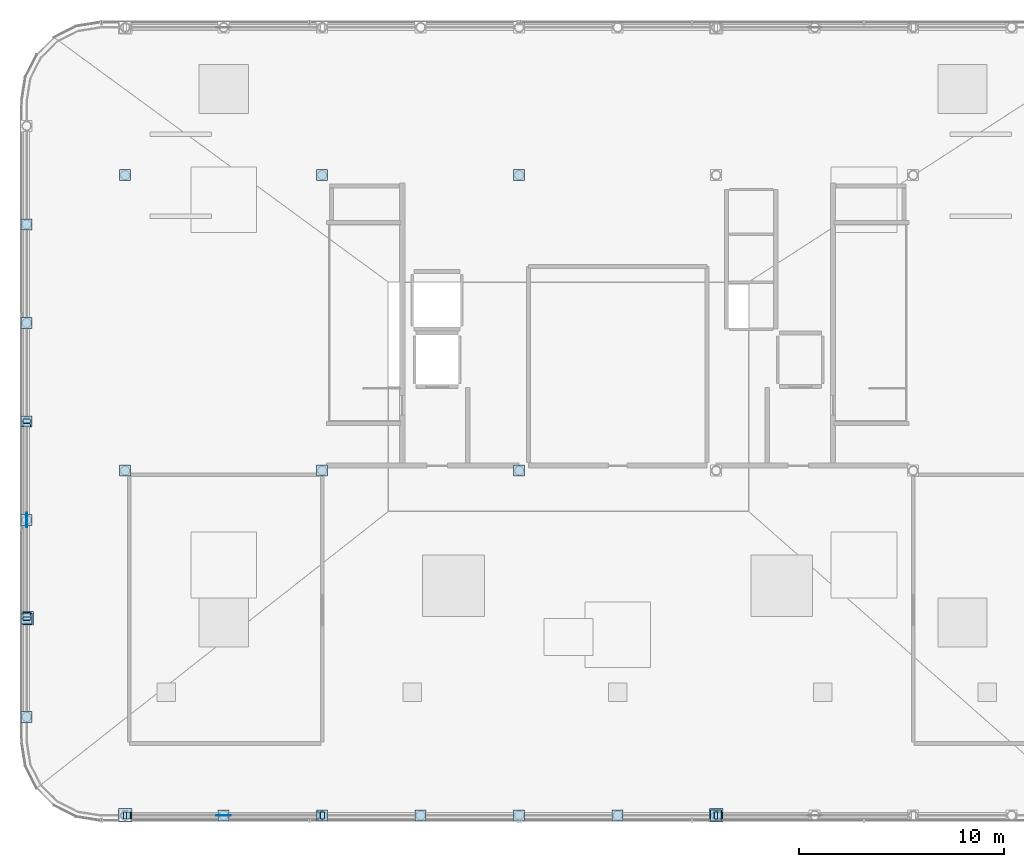
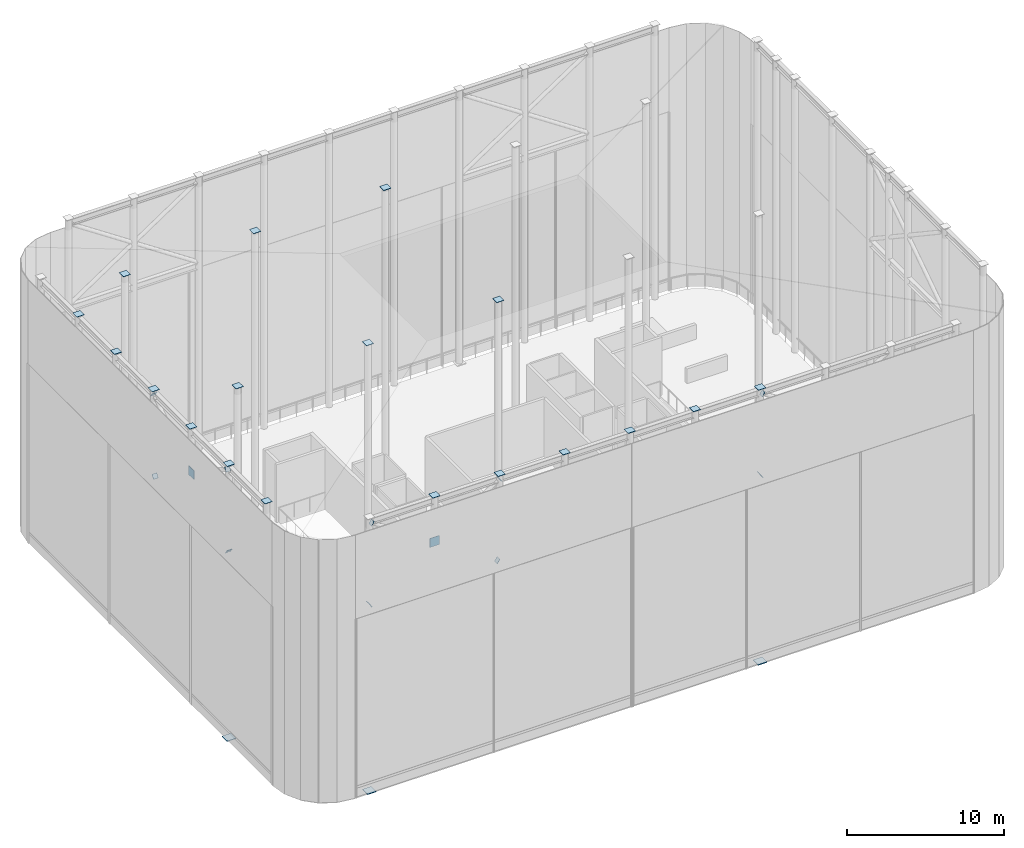
# One storey, part 37 of 42: 33 plates.
"""IFC4 building model written with IfcOpenShell, lengths in metres."""

from ifc_helpers import new_model, si_unit, direction, frame, origin, origin_2d, place, context, subcontext, project, spatial, polyline, rectangle, outline, extrude, material, layer, layer_set, type_object, element, save


model = new_model("IFC4")

# Units and contexts
model_context = context("Model", 3, precision=1e-05, world=origin(), true_north=direction((0.0, 1.0)))
body_context = subcontext(model_context, "Body", "Model", "MODEL_VIEW")
ifc_project = project(units=[si_unit("LENGTHUNIT", "METRE"), si_unit("AREAUNIT", "SQUARE_METRE"), si_unit("VOLUMEUNIT", "CUBIC_METRE"), si_unit("PLANEANGLEUNIT", "RADIAN"), si_unit("MASSUNIT", "GRAM", prefix="KILO")], contexts=[model_context])

# Site, building, storey
site_placement = place(None, origin())
site = spatial("IfcSite", under=ifc_project, at=site_placement, CompositionType="ELEMENT")
building_placement = place(site_placement, origin())
building = spatial("IfcBuilding", under=site, at=building_placement, Name="Kallvorn Hotel Tower", CompositionType="ELEMENT")
storey_placement = place(building_placement, frame((0.0, 0.0, 306.0)))
storey = spatial("IfcBuildingStorey", under=building, at=storey_placement, Name="ROOF", CompositionType="ELEMENT", Elevation=306.0)

# Plates
ifc_material_1 = material(Name="Structural steel S355JR", Category="steel")
ifc_layer_1 = layer(ifc_material_1, 0.044921875)
ifc_layer_set_1 = layer_set([ifc_layer_1], Name="PLT_BASE_45")
plate_type_1 = type_object("IfcPlateType", Name="PLT_BASE_45", PredefinedType="SHEET", material=ifc_layer_set_1)
for number, where, z_axis, x_axis, name in (
    (1, (-24.0, -24.0, 0.0), (0.0, 0.0, 1.0), (1.0, 0.0, 0.0), "CROWN FRAME Column Baseplate CS1"),
    (2, (4.800048828125, -24.0, 0.0), (0.0, 0.0, 1.0), (1.0, 0.0, 0.0), "CROWN FRAME Column Baseplate CS2"),
    (3, (-28.800048828125, -14.39990234375, 0.0), (0.0, 0.0, 1.0), (1.0, 0.0, 0.0), "CROWN FRAME Column Baseplate CW1"),
):
    element("IfcPlate", number, at=place(storey_placement, frame(where, z_axis=z_axis, x_axis=x_axis)), inside=storey, type_object=plate_type_1, Name=name, PredefinedType="SHEET", context=body_context, shape_type="SweptSolid", body=[
        extrude(rectangle(XDim=0.64990234375, YDim=0.64990234375, at=origin_2d()), origin(), (0.0, 0.0, 1.0), 0.044921875),
    ])
ifc_material_2 = material(Name="Structural steel S355JR", Category="steel")
ifc_layer_2 = layer(ifc_material_2, 0.030029296875)
ifc_layer_set_2 = layer_set([ifc_layer_2], Name="PLT_CAP_30")
plate_type_2 = type_object("IfcPlateType", Name="PLT_CAP_30", PredefinedType="SHEET", material=ifc_layer_set_2)
for number, where, z_axis, x_axis, name in (
    (4, (-28.800048828125, -19.199951171875, 21.35986328125), (0.0, 0.0, 1.0), (1.0, 0.0, 0.0), "CROWN FRAME Column Top Cap Plate 01"),
    (5, (-28.800048828125, -14.39990234375, 21.35986328125), (0.0, 0.0, 1.0), (1.0, 0.0, 0.0), "CROWN FRAME Column Top Cap Plate 02"),
    (6, (-28.800048828125, -9.60009765625, 21.35986328125), (0.0, 0.0, 1.0), (1.0, 0.0, 0.0), "CROWN FRAME Column Top Cap Plate 03"),
    (7, (-28.800048828125, -4.800048828125, 21.35986328125), (0.0, 0.0, 1.0), (1.0, 0.0, 0.0), "CROWN FRAME Column Top Cap Plate 04"),
    (8, (-28.800048828125, 0.0, 21.35986328125), (0.0, 0.0, 1.0), (1.0, 0.0, 0.0), "CROWN FRAME Column Top Cap Plate 05"),
    (9, (-28.800048828125, 4.800048828125, 21.35986328125), (0.0, 0.0, 1.0), (1.0, 0.0, 0.0), "CROWN FRAME Column Top Cap Plate 06"),
    (10, (-24.0, -7.199951171875, 21.35986328125), (0.0, 0.0, 1.0), (1.0, 0.0, 0.0), "CROWN FRAME Column Top Cap Plate 09"),
    (11, (-24.0, 7.199951171875, 21.35986328125), (0.0, 0.0, 1.0), (1.0, 0.0, 0.0), "CROWN FRAME Column Top Cap Plate 10"),
    (12, (-19.199951171875, -24.0, 21.35986328125), (0.0, 0.0, 1.0), (1.0, 0.0, 0.0), "CROWN FRAME Column Top Cap Plate 12"),
    (13, (-14.39990234375, -24.0, 21.35986328125), (0.0, 0.0, 1.0), (1.0, 0.0, 0.0), "CROWN FRAME Column Top Cap Plate 14"),
    (14, (-14.39990234375, -7.199951171875, 21.35986328125), (0.0, 0.0, 1.0), (1.0, 0.0, 0.0), "CROWN FRAME Column Top Cap Plate 15"),
    (15, (-14.39990234375, 7.199951171875, 21.35986328125), (0.0, 0.0, 1.0), (1.0, 0.0, 0.0), "CROWN FRAME Column Top Cap Plate 16"),
    (16, (-9.60009765625, -24.0, 21.35986328125), (0.0, 0.0, 1.0), (1.0, 0.0, 0.0), "CROWN FRAME Column Top Cap Plate 18"),
    (17, (-4.800048828125, -24.0, 21.35986328125), (0.0, 0.0, 1.0), (1.0, 0.0, 0.0), "CROWN FRAME Column Top Cap Plate 20"),
    (18, (-4.800048828125, -7.199951171875, 21.35986328125), (0.0, 0.0, 1.0), (1.0, 0.0, 0.0), "CROWN FRAME Column Top Cap Plate 21"),
    (19, (-4.800048828125, 7.199951171875, 21.35986328125), (0.0, 0.0, 1.0), (1.0, 0.0, 0.0), "CROWN FRAME Column Top Cap Plate 22"),
    (20, (0.0, -24.0, 21.35986328125), (0.0, 0.0, 1.0), (1.0, 0.0, 0.0), "CROWN FRAME Column Top Cap Plate 24"),
    (21, (4.800048828125, -24.0, 21.35986328125), (0.0, 0.0, 1.0), (1.0, 0.0, 0.0), "CROWN FRAME Column Top Cap Plate 26"),
):
    element("IfcPlate", number, at=place(storey_placement, frame(where, z_axis=z_axis, x_axis=x_axis)), inside=storey, type_object=plate_type_2, Name=name, PredefinedType="SHEET", context=body_context, shape_type="SweptSolid", body=[
        extrude(rectangle(XDim=0.5400390625, YDim=0.5400390625, at=origin_2d()), origin(), (0.0, 0.0, 1.0), 0.030029296875),
    ])
for number, where, z_axis, x_axis, name in (
    (22, (-23.885498046875, -24.176513671875, 14.414306640625), (0.832050294338, 0.0, 0.554700196225), (0.0, 1.0, 0.0), "CROWN-BR-CS1 End Cap Plate A"),
    (23, (-14.293701171875, -24.176513671875, 20.80859375), (0.832050294338, 0.0, 0.554700196225), (0.0, 1.0, 0.0), "CROWN-BR-CS1 End Cap Plate B"),
    (24, (-23.939697265625, -23.823486328125, 20.69775390625), (-0.832050294338, 0.0, 0.554700196225), (0.0, -1.0, 0.0), "CROWN-BR-CS1-H1 End Cap Plate A"),
    (25, (-14.680908203125, -23.823486328125, 14.525146484375), (-0.832050294338, 0.0, 0.554700196225), (0.0, -1.0, 0.0), "CROWN-BR-CS1-H2 End Cap Plate B"),
    (26, (4.91455078125, -24.176513671875, 14.414306640625), (0.832050294338, 0.0, 0.554700196225), (0.0, 1.0, 0.0), "CROWN-BR-CS2 End Cap Plate A"),
    (27, (4.860107421875, -23.823486328125, 20.69775390625), (-0.832050294338, 0.0, 0.554700196225), (0.0, -1.0, 0.0), "CROWN-BR-CS2-H1 End Cap Plate A"),
    (28, (-28.62353515625, -14.285400390625, 14.414306640625), (0.0, 0.832050294338, 0.554700196225), (-1.0, 0.0, 0.0), "CROWN-BR-CW1 End Cap Plate A"),
    (29, (-28.62353515625, -4.693603515625, 20.80859375), (0.0, 0.832050294338, 0.554700196225), (-1.0, 0.0, 0.0), "CROWN-BR-CW1 End Cap Plate B"),
    (30, (-28.9765625, -14.33984375, 20.69775390625), (0.0, -0.832050294338, 0.554700196225), (1.0, 0.0, 0.0), "CROWN-BR-CW1-H1 End Cap Plate A"),
    (31, (-28.9765625, -5.0810546875, 14.525146484375), (0.0, -0.832050294338, 0.554700196225), (1.0, 0.0, 0.0), "CROWN-BR-CW1-H2 End Cap Plate B"),
):
    element("IfcPlate", number, at=place(storey_placement, frame(where, z_axis=z_axis, x_axis=x_axis)), inside=storey, type_object=plate_type_2, Name=name, PredefinedType="SHEET", context=body_context, shape_type="SweptSolid", body=[
        extrude(outline(polyline([(0.0, 0.0), (0.35302734375, 0.0), (0.35302734375, 0.3529848782863915), (0.0, 0.3529848782863915), (0.0, 0.0)])), origin(), (0.0, 0.0, -1.0), 0.030029296875),
    ])
ifc_material_3 = material(Name="Structural steel S355JR", Category="steel")
ifc_layer_3 = layer(ifc_material_3, 0.034912109375)
ifc_layer_set_3 = layer_set([ifc_layer_3], Name="PLT_GUSSET_35")
plate_type_3 = type_object("IfcPlateType", Name="PLT_GUSSET_35", PredefinedType="USERDEFINED", material=ifc_layer_set_3)
for number, where, z_axis, x_axis, name in (
    (32, (-19.199951171875, -24.0, 17.39990234375), (0.0, 0.0, 1.0), (1.0, 0.0, 0.0), "CROWN FRAME X-Brace Crossing Gusset Node CS1"),
    (33, (-28.800048828125, -9.60009765625, 17.39990234375), (0.0, 0.0, 1.0), (0.0, 1.0, 0.0), "CROWN FRAME X-Brace Crossing Gusset Node CW1"),
):
    element("IfcPlate", number, at=place(storey_placement, frame(where, z_axis=z_axis, x_axis=x_axis)), inside=storey, type_object=plate_type_3, Name=name, ObjectType="GUSSET PLATE", PredefinedType="USERDEFINED", context=body_context, shape_type="SweptSolid", body=[
        extrude(rectangle(XDim=0.699951171875, YDim=0.034912109375, at=origin_2d()), origin(), (0.0, 0.0, 1.0), 0.699951171875),
    ])

save(model, "model.ifc")
